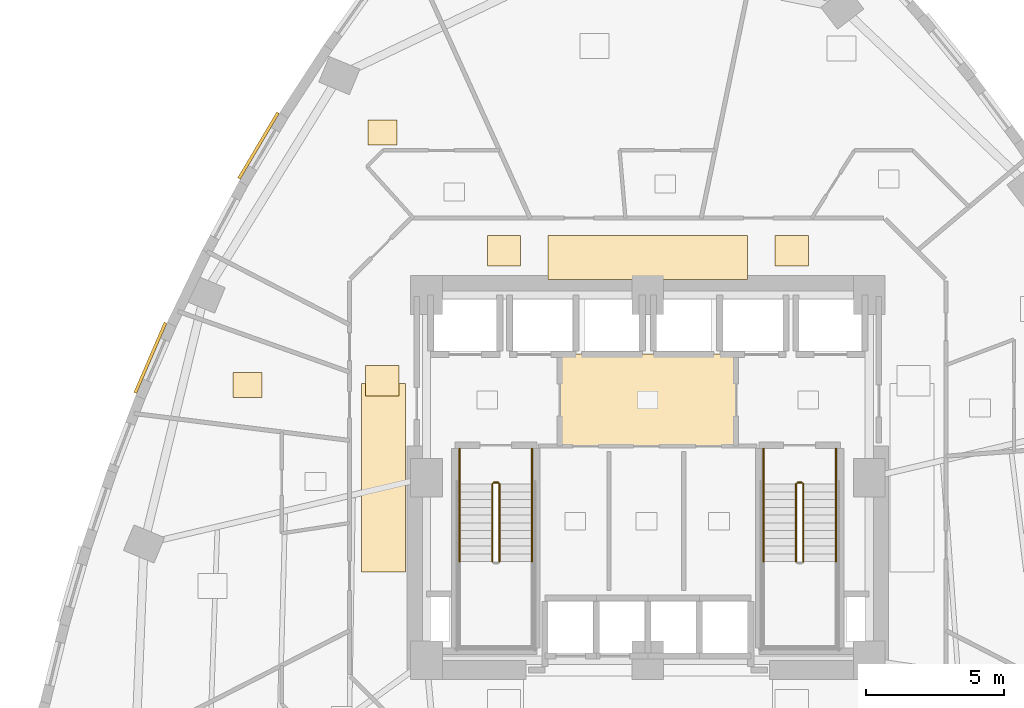
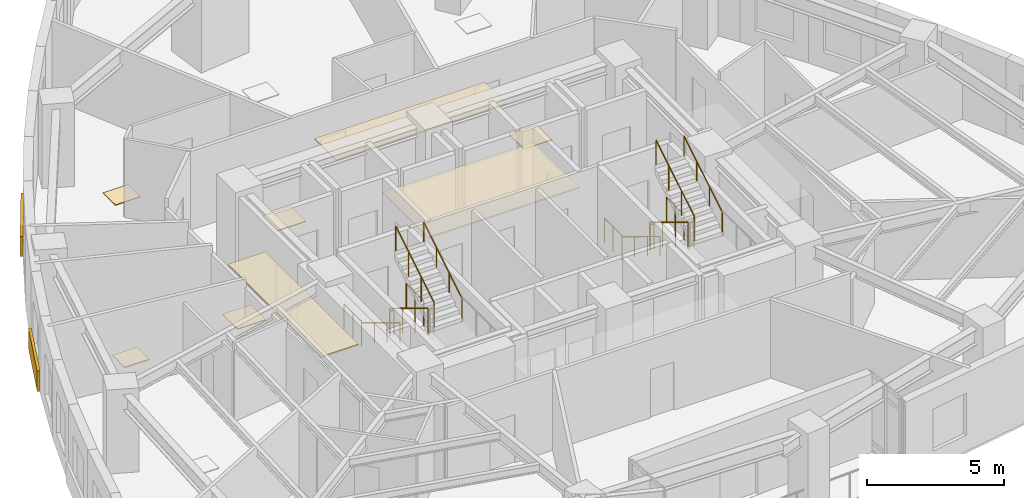
# One storey, part 10 of 11: 14 railings, 10 coverings.
"""IFC4 building model written with IfcOpenShell, lengths in metres."""

from ifc_helpers import new_model, si_unit, direction, frame, origin, origin_2d, place, context, subcontext, project, spatial, rectangle, circle, extrude, material, layer, layer_set, type_object, element, save


model = new_model("IFC4")

# Units and contexts
model_context = context("Model", 3, precision=1e-05, world=origin(), true_north=direction((0.0, 1.0)))
body_context = subcontext(model_context, "Body", "Model", "MODEL_VIEW")
ifc_project = project(units=[si_unit("LENGTHUNIT", "METRE"), si_unit("AREAUNIT", "SQUARE_METRE"), si_unit("VOLUMEUNIT", "CUBIC_METRE"), si_unit("PLANEANGLEUNIT", "RADIAN"), si_unit("MASSUNIT", "GRAM", prefix="KILO")], contexts=[model_context])

# Site, building, storey
site_placement = place(None, origin())
site = spatial("IfcSite", under=ifc_project, at=site_placement, CompositionType="ELEMENT")
building_placement = place(site_placement, origin())
building = spatial("IfcBuilding", under=site, at=building_placement, Name="Ndelora Gate Hotel", CompositionType="ELEMENT")
storey_placement = place(building_placement, frame((0.0, 0.0, 45.5)))
storey = spatial("IfcBuildingStorey", under=building, at=storey_placement, Name="L10", CompositionType="ELEMENT", Elevation=45.5)

# Coverings
ifc_material_1 = material(Name="Perforated Acoustic Gypsum Board", Category="gypsum")
ifc_layer_1 = layer(ifc_material_1, 0.054931640625)
ifc_layer_set_1 = layer_set([ifc_layer_1], Name="Perforated Acoustic Gypsum Board")
covering_type_1 = type_object("IfcCoveringType", Name="COV-CEIL-AC60", PredefinedType="CEILING", material=ifc_layer_set_1)
covering_1_placement = place(storey_placement, frame((0.0, 2.800048828125, 2.72265625), z_axis=(0.0, 0.0, 1.0), x_axis=(1.0, 0.0, 0.0)))
element("IfcCovering", 1, at=covering_1_placement, inside=storey, type_object=covering_type_1, Name="L10 Lift Lobby Acoustic Ceiling", PredefinedType="CEILING", context=body_context, shape_type="SweptSolid", body=[
    extrude(rectangle(XDim=6.39990234375, YDim=3.340087890625, at=origin_2d()), origin(), (0.0, 0.0, 1.0), 0.054931640625),
])
covering_2_placement = place(storey_placement, frame((0.0, 7.9599609375, 2.65234375), z_axis=(0.0, 0.0, 1.0), x_axis=(1.0, 0.0, 0.0)))
element("IfcCovering", 2, at=covering_2_placement, inside=storey, type_object=covering_type_1, Name="L10 Guest Corridor Acoustic Ceiling N", PredefinedType="CEILING", context=body_context, shape_type="SweptSolid", body=[
    extrude(rectangle(XDim=7.199951171875, YDim=1.580078125, at=origin_2d()), origin(), (0.0, 0.0, 1.0), 0.054931640625),
])
covering_3_placement = place(storey_placement, frame((-9.550048828125, 0.0, 2.65234375), z_axis=(0.0, 0.0, 1.0), x_axis=(1.0, 0.0, 0.0)))
element("IfcCovering", 3, at=covering_3_placement, inside=storey, type_object=covering_type_1, Name="L10 Guest Corridor Acoustic Ceiling W", PredefinedType="CEILING", context=body_context, shape_type="SweptSolid", body=[
    extrude(rectangle(XDim=1.580078125, YDim=6.800048828125, at=origin_2d()), origin(), (0.0, 0.0, 1.0), 0.054931640625),
])
ifc_material_2 = material(Name="Terracotta Fired Clay Brick Slip Cladding", Category="masonry")
ifc_layer_2 = layer(ifc_material_2, 0.110107421875)
ifc_layer_set_2 = layer_set([ifc_layer_2], Name="Terracotta Fired Clay Brick Slip Cladding")
covering_type_2 = type_object("IfcCoveringType", Name="COV-CLAD-BRK", PredefinedType="CLADDING", material=ifc_layer_set_2)
for number, where, z_axis, x_axis, name in (
    (4, (-14.0703125, 11.9990234375, 0.10009765625), (0.0, 0.0, 1.0), (0.510092630351, 0.860119473365, 0.0), "L10 Rounded-Corner Brick Cladding Band 13"),
    (5, (-17.977783203125, 4.330322265625, 0.10009765625), (0.0, 0.0, 1.0), (0.396026345721, 0.918239148313, 0.0), "L10 Rounded-Corner Brick Cladding Band 16"),
):
    element("IfcCovering", number, at=place(storey_placement, frame(where, z_axis=z_axis, x_axis=x_axis)), inside=storey, type_object=covering_type_2, Name=name, PredefinedType="CLADDING", context=body_context, shape_type="SweptSolid", body=[
        extrude(rectangle(XDim=2.764892578125, YDim=0.110107421875, at=origin_2d()), origin(), (0.0, 0.0, 1.0), 0.89990234375),
    ])
ifc_material_3 = material(Name="Engineered Highland Oak Parquet", Category="wood")
ifc_layer_3 = layer(ifc_material_3, 0.030029296875)
ifc_layer_set_3 = layer_set([ifc_layer_3], Name="Engineered Highland Oak Parquet")
covering_type_3 = type_object("IfcCoveringType", Name="COV-FLR-PARQ", PredefinedType="FLOORING", material=ifc_layer_set_3)
for number, where, z_axis, x_axis, name in (
    (6, (-9.582763671875, 12.48095703125, 0.0), (0.0, 0.0, 1.0), (1.0, 0.0, 0.0), "L10 Superior Double Guest Room 1306 Oak Parquet Flooring"),
    (7, (-14.461669921875, 3.34814453125, 0.0), (0.0, 0.0, 1.0), (1.0, 0.0, 0.0), "L10 Accessible WC Oak Parquet Flooring"),
):
    element("IfcCovering", number, at=place(storey_placement, frame(where, z_axis=z_axis, x_axis=x_axis)), inside=storey, type_object=covering_type_3, Name=name, PredefinedType="FLOORING", context=body_context, shape_type="SweptSolid", body=[
        extrude(rectangle(XDim=1.050048828125, YDim=0.89990234375, at=origin_2d()), origin(), (0.0, 0.0, 1.0), 0.030029296875),
    ])
ifc_material_4 = material(Name="Polished Highland Stone Terrazzo", Category="masonry")
ifc_layer_4 = layer(ifc_material_4, 0.034912109375)
ifc_layer_set_4 = layer_set([ifc_layer_4], Name="Polished Highland Stone Terrazzo")
covering_type_4 = type_object("IfcCoveringType", Name="COV-FLR-TERZ", PredefinedType="FLOORING", material=ifc_layer_set_4)
for number, where, z_axis, x_axis, name in (
    (8, (-5.199951171875, 8.199951171875, 0.0), (0.0, 0.0, 1.0), (1.0, 0.0, 0.0), "L10 Corridor Threshold Terrazzo Inlay NW"),
    (9, (5.199951171875, 8.199951171875, 0.0), (0.0, 0.0, 1.0), (1.0, 0.0, 0.0), "L10 Corridor Threshold Terrazzo Inlay NE"),
    (10, (-9.60009765625, 3.5, 0.0), (0.0, 0.0, 1.0), (1.0, 0.0, 0.0), "L10 Corridor Threshold Terrazzo Inlay W"),
):
    element("IfcCovering", number, at=place(storey_placement, frame(where, z_axis=z_axis, x_axis=x_axis)), inside=storey, type_object=covering_type_4, Name=name, PredefinedType="FLOORING", context=body_context, shape_type="SweptSolid", body=[
        extrude(rectangle(XDim=1.199951171875, YDim=1.10009765625, at=origin_2d()), origin(), (0.0, 0.0, 1.0), 0.034912109375),
    ])

# Railings
ifc_material_5 = material(Name="Painted Galvanized Steel Balustrade", Category="steel")
ifc_layer_5 = layer(ifc_material_5, 0.06005859375)
ifc_layer_set_5 = layer_set([ifc_layer_5], Name="Painted Galvanized Steel Balustrade")
railing_type_1 = type_object("IfcRailingType", Name="RL-STAIR-GD", PredefinedType="GUARDRAIL", material=ifc_layer_set_5)
railing_1_placement = place(storey_placement, frame((-5.6201171875, -0.22998046875, 0.17041015625)))
element("IfcRailing", 11, at=railing_1_placement, inside=storey, type_object=railing_type_1, Name="L10 ST4 stair guard 1", PredefinedType="GUARDRAIL", context=body_context, shape_type="SweptSolid", body=[
    extrude(circle(Radius=0.02392578125, at=origin_2d()), frame((0.0, 0.0, 1.10595703125), z_axis=(0.0, -0.854169791009, 0.51999420009), x_axis=(1.0, 0.0, 0.0)), (0.0, 0.0, 1.0), 3.278076171875),
    extrude(circle(Radius=0.02099609375, at=origin_2d()), origin(), (0.0, 0.0, 1.0), 1.081787109375),
    extrude(circle(Radius=0.02099609375, at=origin_2d()), frame((0.0, -0.933349609375, 0.568115234375)), (0.0, 0.0, 1.0), 1.081787109375),
    extrude(circle(Radius=0.02099609375, at=origin_2d()), frame((0.0, -1.86669921875, 1.136474609375)), (0.0, 0.0, 1.0), 1.081787109375),
    extrude(circle(Radius=0.02099609375, at=origin_2d()), frame((0.0, -2.800048828125, 1.70458984375)), (0.0, 0.0, 1.0), 1.081787109375),
])
railing_2_placement = place(storey_placement, frame((-5.360107421875, -3.030029296875, 2.04541015625)))
element("IfcRailing", 12, at=railing_2_placement, inside=storey, type_object=railing_type_1, Name="L10 ST4 stair guard 6", PredefinedType="GUARDRAIL", context=body_context, shape_type="SweptSolid", body=[
    extrude(circle(Radius=0.02392578125, at=origin_2d()), frame((0.0, 0.0, 1.10595703125), z_axis=(0.0, 0.854169791009, 0.51999420009), x_axis=(-1.0, 0.0, 0.0)), (0.0, 0.0, 1.0), 3.278076171875),
    extrude(circle(Radius=0.02099609375, at=origin_2d()), origin(), (0.0, 0.0, 1.0), 1.081787109375),
    extrude(circle(Radius=0.02099609375, at=origin_2d()), frame((0.0, 0.933349609375, 0.568115234375)), (0.0, 0.0, 1.0), 1.081787109375),
    extrude(circle(Radius=0.02099609375, at=origin_2d()), frame((0.0, 1.86669921875, 1.136474609375)), (0.0, 0.0, 1.0), 1.081787109375),
    extrude(circle(Radius=0.02099609375, at=origin_2d()), frame((0.0, 2.800048828125, 1.70458984375)), (0.0, 0.0, 1.0), 1.081787109375),
])
railing_3_placement = place(storey_placement, frame((-5.570068359375, -0.179931640625, 0.0)))
element("IfcRailing", 13, at=railing_3_placement, inside=storey, type_object=railing_type_1, Name="L10 ST4 stair guard 7", PredefinedType="GUARDRAIL", context=body_context, shape_type="SweptSolid", body=[
    extrude(circle(Radius=0.02392578125, at=origin_2d()), frame((0.0, 0.0, 1.10595703125), z_axis=(1.0, 0.0, 0.0), x_axis=(0.0, 1.0, 0.0)), (0.0, 0.0, 1.0), 0.16015625),
    extrude(circle(Radius=0.02099609375, at=origin_2d()), origin(), (0.0, 0.0, 1.0), 1.081787109375),
    extrude(circle(Radius=0.02099609375, at=origin_2d()), frame((0.16015625, 0.0, 0.0)), (0.0, 0.0, 1.0), 1.081787109375),
])
for number, where, name in (
    (14, (-6.800048828125, 1.050048828125, 0.0), "L10 ST4 stair guard 8"),
    (15, (-4.179931640625, 1.050048828125, 0.0), "L10 ST4 stair guard 9"),
):
    element("IfcRailing", number, at=place(storey_placement, frame(where)), inside=storey, type_object=railing_type_1, Name=name, PredefinedType="GUARDRAIL", context=body_context, shape_type="SweptSolid", body=[
        extrude(circle(Radius=0.02392578125, at=origin_2d()), frame((0.0, 0.0, 1.10595703125), z_axis=(0.0, -1.0, 0.0), x_axis=(1.0, 0.0, 0.0)), (0.0, 0.0, 1.0), 1.280029296875),
        extrude(circle(Radius=0.02099609375, at=origin_2d()), origin(), (0.0, 0.0, 1.0), 1.081787109375),
        extrude(circle(Radius=0.02099609375, at=origin_2d()), frame((0.0, -0.64013671875, 0.0)), (0.0, 0.0, 1.0), 1.081787109375),
        extrude(circle(Radius=0.02099609375, at=origin_2d()), frame((0.0, -1.280029296875, 0.0)), (0.0, 0.0, 1.0), 1.081787109375),
    ])
railing_4_placement = place(storey_placement, frame((5.360107421875, -0.22998046875, 0.17041015625)))
element("IfcRailing", 16, at=railing_4_placement, inside=storey, type_object=railing_type_1, Name="L10 ST5 stair guard 1", PredefinedType="GUARDRAIL", context=body_context, shape_type="SweptSolid", body=[
    extrude(circle(Radius=0.02392578125, at=origin_2d()), frame((0.0, 0.0, 1.10595703125), z_axis=(0.0, -0.854169791009, 0.51999420009), x_axis=(1.0, 0.0, 0.0)), (0.0, 0.0, 1.0), 3.278076171875),
    extrude(circle(Radius=0.02099609375, at=origin_2d()), origin(), (0.0, 0.0, 1.0), 1.081787109375),
    extrude(circle(Radius=0.02099609375, at=origin_2d()), frame((0.0, -0.933349609375, 0.568115234375)), (0.0, 0.0, 1.0), 1.081787109375),
    extrude(circle(Radius=0.02099609375, at=origin_2d()), frame((0.0, -1.86669921875, 1.136474609375)), (0.0, 0.0, 1.0), 1.081787109375),
    extrude(circle(Radius=0.02099609375, at=origin_2d()), frame((0.0, -2.800048828125, 1.70458984375)), (0.0, 0.0, 1.0), 1.081787109375),
])
railing_5_placement = place(storey_placement, frame((5.6201171875, -3.030029296875, 2.04541015625)))
element("IfcRailing", 17, at=railing_5_placement, inside=storey, type_object=railing_type_1, Name="L10 ST5 stair guard 6", PredefinedType="GUARDRAIL", context=body_context, shape_type="SweptSolid", body=[
    extrude(circle(Radius=0.02392578125, at=origin_2d()), frame((0.0, 0.0, 1.10595703125), z_axis=(0.0, 0.854169791009, 0.51999420009), x_axis=(-1.0, 0.0, 0.0)), (0.0, 0.0, 1.0), 3.278076171875),
    extrude(circle(Radius=0.02099609375, at=origin_2d()), origin(), (0.0, 0.0, 1.0), 1.081787109375),
    extrude(circle(Radius=0.02099609375, at=origin_2d()), frame((0.0, 0.933349609375, 0.568115234375)), (0.0, 0.0, 1.0), 1.081787109375),
    extrude(circle(Radius=0.02099609375, at=origin_2d()), frame((0.0, 1.86669921875, 1.136474609375)), (0.0, 0.0, 1.0), 1.081787109375),
    extrude(circle(Radius=0.02099609375, at=origin_2d()), frame((0.0, 2.800048828125, 1.70458984375)), (0.0, 0.0, 1.0), 1.081787109375),
])
railing_6_placement = place(storey_placement, frame((5.409912109375, -0.179931640625, 0.0)))
element("IfcRailing", 18, at=railing_6_placement, inside=storey, type_object=railing_type_1, Name="L10 ST5 stair guard 7", PredefinedType="GUARDRAIL", context=body_context, shape_type="SweptSolid", body=[
    extrude(circle(Radius=0.02392578125, at=origin_2d()), frame((0.0, 0.0, 1.10595703125), z_axis=(1.0, 0.0, 0.0), x_axis=(0.0, 1.0, 0.0)), (0.0, 0.0, 1.0), 0.16015625),
    extrude(circle(Radius=0.02099609375, at=origin_2d()), origin(), (0.0, 0.0, 1.0), 1.081787109375),
    extrude(circle(Radius=0.02099609375, at=origin_2d()), frame((0.16015625, 0.0, 0.0)), (0.0, 0.0, 1.0), 1.081787109375),
])
for number, where, name in (
    (19, (4.179931640625, 1.050048828125, 0.0), "L10 ST5 stair guard 8"),
    (20, (6.800048828125, 1.050048828125, 0.0), "L10 ST5 stair guard 9"),
):
    element("IfcRailing", number, at=place(storey_placement, frame(where)), inside=storey, type_object=railing_type_1, Name=name, PredefinedType="GUARDRAIL", context=body_context, shape_type="SweptSolid", body=[
        extrude(circle(Radius=0.02392578125, at=origin_2d()), frame((0.0, 0.0, 1.10595703125), z_axis=(0.0, -1.0, 0.0), x_axis=(1.0, 0.0, 0.0)), (0.0, 0.0, 1.0), 1.280029296875),
        extrude(circle(Radius=0.02099609375, at=origin_2d()), origin(), (0.0, 0.0, 1.0), 1.081787109375),
        extrude(circle(Radius=0.02099609375, at=origin_2d()), frame((0.0, -0.64013671875, 0.0)), (0.0, 0.0, 1.0), 1.081787109375),
        extrude(circle(Radius=0.02099609375, at=origin_2d()), frame((0.0, -1.280029296875, 0.0)), (0.0, 0.0, 1.0), 1.081787109375),
    ])
ifc_material_6 = material(Name="Brushed Stainless Steel 316", Category="steel")
ifc_layer_6 = layer(ifc_material_6, 0.050048828125)
ifc_layer_set_6 = layer_set([ifc_layer_6], Name="Brushed Stainless Steel 316")
railing_type_2 = type_object("IfcRailingType", Name="RL-STAIR-HR", PredefinedType="HANDRAIL", material=ifc_layer_set_6)
railing_7_placement = place(storey_placement, frame((-6.800048828125, -0.22998046875, 0.17041015625)))
element("IfcRailing", 21, at=railing_7_placement, inside=storey, type_object=railing_type_2, Name="L10 ST4 stair handrail 1", PredefinedType="HANDRAIL", context=body_context, shape_type="SweptSolid", body=[
    extrude(circle(Radius=0.02392578125, at=origin_2d()), frame((0.0, 0.0, 0.8759765625), z_axis=(0.0, -0.854169791009, 0.51999420009), x_axis=(1.0, 0.0, 0.0)), (0.0, 0.0, 1.0), 3.278076171875),
    extrude(circle(Radius=0.02099609375, at=origin_2d()), origin(), (0.0, 0.0, 1.0), 0.851806640625),
    extrude(circle(Radius=0.02099609375, at=origin_2d()), frame((0.0, -0.933349609375, 0.568115234375)), (0.0, 0.0, 1.0), 0.851806640625),
    extrude(circle(Radius=0.02099609375, at=origin_2d()), frame((0.0, -1.86669921875, 1.136474609375)), (0.0, 0.0, 1.0), 0.851806640625),
    extrude(circle(Radius=0.02099609375, at=origin_2d()), frame((0.0, -2.800048828125, 1.70458984375)), (0.0, 0.0, 1.0), 0.851806640625),
])
railing_8_placement = place(storey_placement, frame((-4.179931640625, -3.030029296875, 2.04541015625)))
element("IfcRailing", 22, at=railing_8_placement, inside=storey, type_object=railing_type_2, Name="L10 ST4 stair handrail 2", PredefinedType="HANDRAIL", context=body_context, shape_type="SweptSolid", body=[
    extrude(circle(Radius=0.02392578125, at=origin_2d()), frame((0.0, 0.0, 0.8759765625), z_axis=(0.0, 0.854169791009, 0.51999420009), x_axis=(-1.0, 0.0, 0.0)), (0.0, 0.0, 1.0), 3.278076171875),
    extrude(circle(Radius=0.02099609375, at=origin_2d()), origin(), (0.0, 0.0, 1.0), 0.851806640625),
    extrude(circle(Radius=0.02099609375, at=origin_2d()), frame((0.0, 0.933349609375, 0.568115234375)), (0.0, 0.0, 1.0), 0.851806640625),
    extrude(circle(Radius=0.02099609375, at=origin_2d()), frame((0.0, 1.86669921875, 1.136474609375)), (0.0, 0.0, 1.0), 0.851806640625),
    extrude(circle(Radius=0.02099609375, at=origin_2d()), frame((0.0, 2.800048828125, 1.70458984375)), (0.0, 0.0, 1.0), 0.851806640625),
])
railing_9_placement = place(storey_placement, frame((4.179931640625, -0.22998046875, 0.17041015625)))
element("IfcRailing", 23, at=railing_9_placement, inside=storey, type_object=railing_type_2, Name="L10 ST5 stair handrail 1", PredefinedType="HANDRAIL", context=body_context, shape_type="SweptSolid", body=[
    extrude(circle(Radius=0.02392578125, at=origin_2d()), frame((0.0, 0.0, 0.8759765625), z_axis=(0.0, -0.854169791009, 0.51999420009), x_axis=(1.0, 0.0, 0.0)), (0.0, 0.0, 1.0), 3.278076171875),
    extrude(circle(Radius=0.02099609375, at=origin_2d()), origin(), (0.0, 0.0, 1.0), 0.851806640625),
    extrude(circle(Radius=0.02099609375, at=origin_2d()), frame((0.0, -0.933349609375, 0.568115234375)), (0.0, 0.0, 1.0), 0.851806640625),
    extrude(circle(Radius=0.02099609375, at=origin_2d()), frame((0.0, -1.86669921875, 1.136474609375)), (0.0, 0.0, 1.0), 0.851806640625),
    extrude(circle(Radius=0.02099609375, at=origin_2d()), frame((0.0, -2.800048828125, 1.70458984375)), (0.0, 0.0, 1.0), 0.851806640625),
])
railing_10_placement = place(storey_placement, frame((6.800048828125, -3.030029296875, 2.04541015625)))
element("IfcRailing", 24, at=railing_10_placement, inside=storey, type_object=railing_type_2, Name="L10 ST5 stair handrail 2", PredefinedType="HANDRAIL", context=body_context, shape_type="SweptSolid", body=[
    extrude(circle(Radius=0.02392578125, at=origin_2d()), frame((0.0, 0.0, 0.8759765625), z_axis=(0.0, 0.854169791009, 0.51999420009), x_axis=(-1.0, 0.0, 0.0)), (0.0, 0.0, 1.0), 3.278076171875),
    extrude(circle(Radius=0.02099609375, at=origin_2d()), origin(), (0.0, 0.0, 1.0), 0.851806640625),
    extrude(circle(Radius=0.02099609375, at=origin_2d()), frame((0.0, 0.933349609375, 0.568115234375)), (0.0, 0.0, 1.0), 0.851806640625),
    extrude(circle(Radius=0.02099609375, at=origin_2d()), frame((0.0, 1.86669921875, 1.136474609375)), (0.0, 0.0, 1.0), 0.851806640625),
    extrude(circle(Radius=0.02099609375, at=origin_2d()), frame((0.0, 2.800048828125, 1.70458984375)), (0.0, 0.0, 1.0), 0.851806640625),
])

save(model, "model.ifc")
